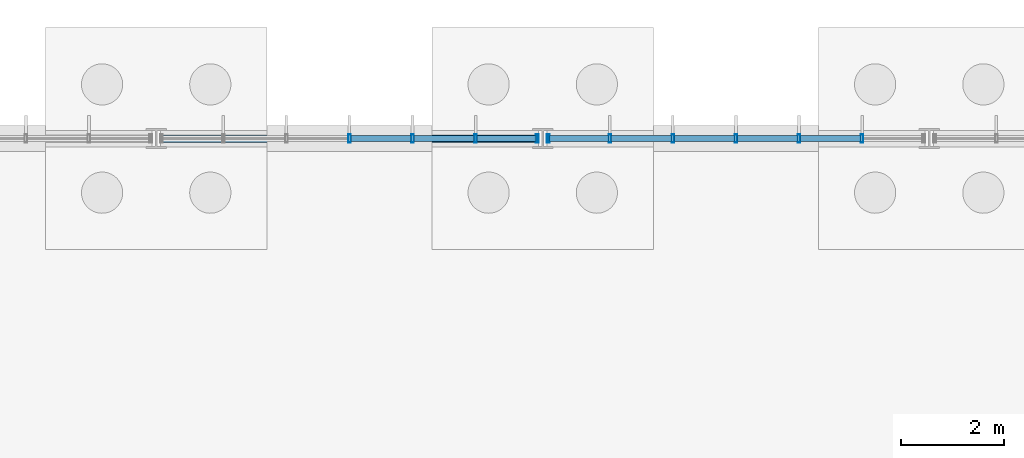
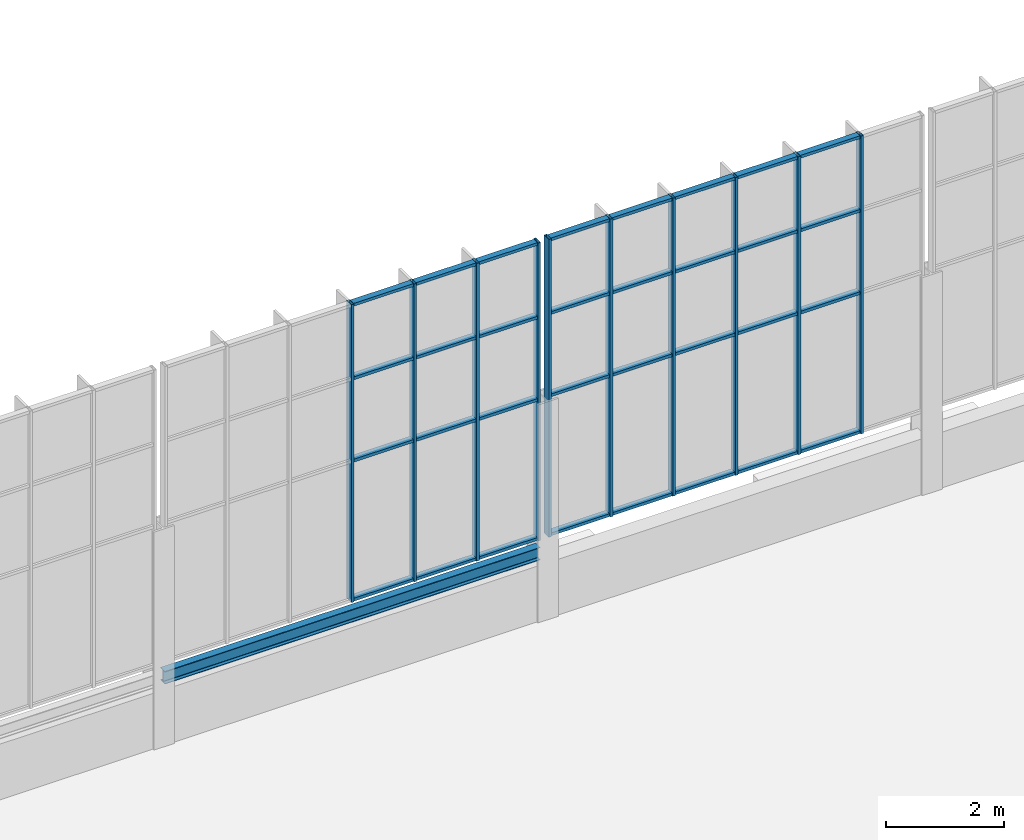
# One storey, part 65 of 136: 42 members, 1 beam, 2 elements without a shape of their own.
"""IFC4 building model written with IfcOpenShell, lengths in metres."""

import ifcopenshell
import ifcopenshell.guid

model = None  # the IFC model being written
_history = None  # IfcOwnerHistory: only IFC2X3 demands one
_inside = {}  # id of a spatial element -> (the spatial element, [elements in it])
_under = {}  # id of a project, library or spatial element -> (it, [spatial elements below it])
_declared = {}  # id of a project -> (the project, [libraries it declares])
_typed = {}  # id of a type object -> (the type object, [elements of that type])
_made_of = {}  # id of a material, layer set ... -> (it, [elements and type objects made of it])


def new_model(schema):
    """Start an empty IFC model of exactly this schema.

    Asked for "IFC4X3", IfcOpenShell would pick the latest addendum, in which some entities
    have other attributes; the version numbers below select the first issue.
    IFC2X3 requires an IfcOwnerHistory on every rooted entity: one is made here for all.
    """
    global model, _history
    if schema == "IFC4X3":
        model = ifcopenshell.file(schema_version=(4, 3, 0, 0))
    else:
        model = ifcopenshell.file(schema=schema)
    _inside.clear()
    _under.clear()
    _declared.clear()
    _typed.clear()
    _made_of.clear()
    _history = None
    if model.schema == "IFC2X3":
        org = make("IfcOrganization", Name="unknown")
        user = make(
            "IfcPersonAndOrganization",
            ThePerson=make("IfcPerson", FamilyName="unknown"),
            TheOrganization=org,
        )
        app = make(
            "IfcApplication",
            ApplicationDeveloper=org,
            Version="unknown",
            ApplicationFullName="unknown",
            ApplicationIdentifier="unknown",
        )
        _history = make(
            "IfcOwnerHistory",
            OwningUser=user,
            OwningApplication=app,
            ChangeAction="ADDED",
            CreationDate=0,
        )
    return model


def make(cls, **values):
    """One entity of the class cls with the attributes given. An attribute that is None is left unset."""
    return model.create_entity(
        cls, **{name: value for name, value in values.items() if value is not None}
    )


def rooted(cls, **values):
    """An entity with a GlobalId (a new one), such as an element, a storey or a relation."""
    return make(cls, GlobalId=ifcopenshell.guid.new(), OwnerHistory=_history, **values)


def si_unit(unit_type, name, prefix=None):
    """IfcSIUnit, for example si_unit("LENGTHUNIT", "METRE", prefix="MILLI")."""
    return make("IfcSIUnit", UnitType=unit_type, Prefix=prefix, Name=name)


def assignment(units):
    """IfcUnitAssignment: the units of a project."""
    return None if units is None else make("IfcUnitAssignment", Units=units)


def point(xyz):
    """IfcCartesianPoint."""
    return None if xyz is None else make("IfcCartesianPoint", Coordinates=xyz)


def direction(xyz):
    """IfcDirection."""
    return None if xyz is None else make("IfcDirection", DirectionRatios=xyz)


def frame(location, z_axis=None, x_axis=None):
    """IfcAxis2Placement3D, a coordinate frame: its origin and axes. An axis left out is left unset."""
    return make(
        "IfcAxis2Placement3D",
        Location=point(location),
        Axis=direction(z_axis),
        RefDirection=direction(x_axis),
    )


def frame_2d(location, x_axis=None):
    """IfcAxis2Placement2D, a coordinate frame in the plane: its origin and x axis."""
    return make(
        "IfcAxis2Placement2D", Location=point(location), RefDirection=direction(x_axis)
    )


def origin():
    """The frame at (0, 0, 0) with its axes left unset."""
    return frame((0.0, 0.0, 0.0))


def origin_2d():
    """The frame at (0, 0) in the plane with its x axis left unset."""
    return frame_2d((0.0, 0.0))


def place(relative_to, where):
    """IfcLocalPlacement: puts the frame where relative to a parent placement (None: the world)."""
    return make(
        "IfcLocalPlacement", PlacementRelTo=relative_to, RelativePlacement=where
    )


def context(
    kind, dimensions, precision=None, world=None, true_north=None, identifier=None
):
    """IfcGeometricRepresentationContext, for example the 3D "Model" context."""
    return make(
        "IfcGeometricRepresentationContext",
        ContextIdentifier=identifier,
        ContextType=kind,
        CoordinateSpaceDimension=dimensions,
        Precision=precision,
        WorldCoordinateSystem=world,
        TrueNorth=true_north,
    )


def subcontext(parent, identifier, kind, view, scale=None):
    """IfcGeometricRepresentationSubContext, for example "Body" below "Model"."""
    return make(
        "IfcGeometricRepresentationSubContext",
        ContextIdentifier=identifier,
        ContextType=kind,
        ParentContext=parent,
        TargetScale=scale,
        TargetView=view,
    )


def project(units=None, contexts=None):
    """IfcProject with its units and contexts."""
    return rooted(
        "IfcProject",
        Name="project",
        RepresentationContexts=contexts,
        UnitsInContext=assignment(units),
    )


def spatial(cls, under=None, at=None, **own):
    """A site, building, storey or space (cls), placed at a placement, below another one or the project."""
    s = rooted(cls, ObjectPlacement=at, **own)
    if under is not None:
        _under.setdefault(under.id(), (under, []))[1].append(s)
    return s


def profile(cls, at=None, kind="AREA", **sizes):
    """A parametric profile (cls). Its sizes go by their IFC names, for example OverallWidth=200.0."""
    return make(cls, ProfileType=kind, Position=at, **sizes)


def hollow_rectangle(**sizes):
    """IfcRectangleHollowProfileDef."""
    return profile("IfcRectangleHollowProfileDef", **sizes)


def i_section(**sizes):
    """IfcIShapeProfileDef."""
    return profile("IfcIShapeProfileDef", **sizes)


def extrude(swept, where, along, depth):
    """IfcExtrudedAreaSolid: the profile swept, set in the frame where, extruded along a direction by depth."""
    return make(
        "IfcExtrudedAreaSolid",
        SweptArea=swept,
        Position=where,
        ExtrudedDirection=direction(along),
        Depth=depth,
    )


def shape(context_of_items, identifier, shape_type, items):
    """IfcShapeRepresentation: the items that make up one representation, for example the "Body"."""
    return make(
        "IfcShapeRepresentation",
        ContextOfItems=context_of_items,
        RepresentationIdentifier=identifier,
        RepresentationType=shape_type,
        Items=items,
    )


def material(Name=None, Category=None):
    """IfcMaterial."""
    return make("IfcMaterial", Name=Name, Category=Category)


def layer(
    of_material, thickness, ventilated=None, Name=None, Category=None, Priority=None
):
    """IfcMaterialLayer: one layer of a wall or slab, of a material (None: an air gap)."""
    return make(
        "IfcMaterialLayer",
        Material=of_material,
        LayerThickness=thickness,
        IsVentilated=ventilated,
        Name=Name,
        Category=Category,
        Priority=Priority,
    )


def layer_set(layers, Name=None):
    """IfcMaterialLayerSet."""
    return make("IfcMaterialLayerSet", MaterialLayers=layers, LayerSetName=Name)


def material_profile(
    of_material, cross_section, Name=None, Category=None, Priority=None
):
    """IfcMaterialProfile: a cross section and its material."""
    return make(
        "IfcMaterialProfile",
        Name=Name,
        Material=of_material,
        Profile=cross_section,
        Priority=Priority,
        Category=Category,
    )


def profile_set(profiles, Name=None, composite=None):
    """IfcMaterialProfileSet."""
    return make(
        "IfcMaterialProfileSet",
        Name=Name,
        MaterialProfiles=profiles,
        CompositeProfile=composite,
    )


def made_of(thing, what):
    """Note that an element or type object is made of a material, layer set ...; save() writes the relation."""
    if what is not None:
        _made_of.setdefault(what.id(), (what, []))[1].append(thing)
    return thing


def type_object(cls, material=None, **own):
    """A type object (cls), such as IfcWallType, which elements share."""
    return made_of(rooted(cls, **own), material)


def element(
    cls,
    number,
    at=None,
    inside=None,
    cuts=None,
    type_object=None,
    material=None,
    context=None,
    identifier="Body",
    shape_type=None,
    held_by="IfcProductDefinitionShape",
    body=None,
    shapes=None,
    **own,
):
    """One element of the class cls, such as IfcWall. Its Tag is "e" and its number.

    at: its placement. inside: the storey or other place that contains it. cuts: it is an
    opening in that element (IfcRelVoidsElement). A single representation is given by context,
    identifier, shape_type and body (its items); several are given by shapes. held_by: the class
    of the entity that holds the representations. save() writes the other relations.
    """
    e = rooted(cls, Tag="e%d" % number, ObjectPlacement=at, **own)
    if body is not None:
        shapes = [shape(context, identifier, shape_type, body)]
    if shapes is not None:
        e.Representation = make(held_by, Representations=shapes)
    if inside is not None:
        _inside.setdefault(inside.id(), (inside, []))[1].append(e)
    if cuts is not None:
        rooted(
            "IfcRelVoidsElement", RelatingBuildingElement=cuts, RelatedOpeningElement=e
        )
    if type_object is not None:
        _typed.setdefault(type_object.id(), (type_object, []))[1].append(e)
    return made_of(e, material)


def aggregate(whole, parts):
    """IfcRelAggregates: a whole, such as a stair, and the parts it consists of."""
    return rooted("IfcRelAggregates", RelatingObject=whole, RelatedObjects=parts)


def save(model, path):
    """Write the relations noted so far, then the file.

    IfcRelAggregates (storeys below a building ...), IfcRelContainedInSpatialStructure (elements
    in a storey), IfcRelDefinesByType, IfcRelAssociatesMaterial and IfcRelDeclares: one each for
    every whole, place, type object, material and project.
    """
    for whole, parts in _under.values():
        aggregate(whole, parts)
    for where, things in _inside.values():
        rooted(
            "IfcRelContainedInSpatialStructure",
            RelatedElements=things,
            RelatingStructure=where,
        )
    for kind, things in _typed.values():
        rooted("IfcRelDefinesByType", RelatedObjects=things, RelatingType=kind)
    for what, things in _made_of.values():
        rooted("IfcRelAssociatesMaterial", RelatedObjects=things, RelatingMaterial=what)
    for by, libraries in _declared.values():
        rooted("IfcRelDeclares", RelatingContext=by, RelatedDefinitions=libraries)
    model.write(path)


model = new_model("IFC4")

# Units and contexts
model_context = context("Model", 3, precision=1e-05, world=origin(), true_north=direction((0.0, 1.0)))
body_context = subcontext(model_context, "Body", "Model", "MODEL_VIEW")
ifc_project = project(units=[si_unit("LENGTHUNIT", "METRE"), si_unit("AREAUNIT", "SQUARE_METRE"), si_unit("VOLUMEUNIT", "CUBIC_METRE"), si_unit("PLANEANGLEUNIT", "RADIAN"), si_unit("MASSUNIT", "GRAM", prefix="KILO")], contexts=[model_context])

# Site, building, storey
site_placement = place(None, origin())
site = spatial("IfcSite", under=ifc_project, at=site_placement, CompositionType="ELEMENT")
building_placement = place(site_placement, origin())
building = spatial("IfcBuilding", under=site, at=building_placement, Name="Solvenia Promenade Tram Depot", CompositionType="ELEMENT")
storey_placement = place(building_placement, origin())
storey = spatial("IfcBuildingStorey", under=building, at=storey_placement, Name="L00", CompositionType="ELEMENT", Elevation=0.0)

# Curtain wall, members
ifc_material_1 = material(Name="Anodized aluminium AW-6063 T6", Category="aluminium")
ifc_layer = layer(ifc_material_1, 0.159912109375, Name="Anodized aluminium AW-6063 T6", Category="aluminium")
ifc_layer_set = layer_set([ifc_layer], Name="Anodized aluminium AW-6063 T6")
curtain_wall_type = type_object("IfcCurtainWallType", Name="CW-Channel-1200", PredefinedType="NOTDEFINED", material=ifc_layer_set)
curtain_wall_1_placement = place(storey_placement, origin())
curtain_wall_1 = element("IfcCurtainWall", 1, at=curtain_wall_1_placement, inside=storey, type_object=curtain_wall_type, Name="North Translucent Channel-Glass Wall 10", PredefinedType="NOTDEFINED")
ifc_material_profile_1 = material_profile(ifc_material_1, hollow_rectangle(XDim=0.159912109375, YDim=0.052001953125, WallThickness=0.00390625, at=origin_2d()), Name="ALU-M1", Category="aluminium")
ifc_profile_set_1 = profile_set([ifc_material_profile_1], Name="Anodized aluminium AW-6063 T6")
member_type_1 = type_object("IfcMemberType", Name="CWM-Mullion-1", PredefinedType="MULLION", material=ifc_profile_set_1)
member_1_placement = place(storey_placement, frame((71.25, 126.0, 1.60009765625), z_axis=(0.0, 0.0, 1.0), x_axis=(0.0, 1.0, 0.0)))
member_1 = element("IfcMember", 2, at=member_1_placement, type_object=member_type_1, Name="CW-1 mullion 4", PredefinedType="MULLION", context=body_context, shape_type="SweptSolid", body=[
    extrude(hollow_rectangle(XDim=0.159912109375, YDim=0.052001953125, WallThickness=0.00390625, at=origin_2d()), origin(), (0.0, 0.0, 1.0), 6.14990234375),
])
member_2_placement = place(storey_placement, frame((72.473388671875, 126.0, 1.60009765625), z_axis=(0.0, 0.0, 1.0), x_axis=(0.0, 1.0, 0.0)))
member_2 = element("IfcMember", 3, at=member_2_placement, type_object=member_type_1, Name="CW-1 mullion 5", PredefinedType="MULLION", context=body_context, shape_type="SweptSolid", body=[
    extrude(hollow_rectangle(XDim=0.159912109375, YDim=0.052001953125, WallThickness=0.00390625, at=origin_2d()), origin(), (0.0, 0.0, 1.0), 6.14990234375),
])
member_3_placement = place(storey_placement, frame((73.69677734375, 126.0, 1.60009765625), z_axis=(0.0, 0.0, 1.0), x_axis=(0.0, 1.0, 0.0)))
member_3 = element("IfcMember", 4, at=member_3_placement, type_object=member_type_1, Name="CW-1 mullion 6", PredefinedType="MULLION", context=body_context, shape_type="SweptSolid", body=[
    extrude(hollow_rectangle(XDim=0.159912109375, YDim=0.052001953125, WallThickness=0.00390625, at=origin_2d()), origin(), (0.0, 0.0, 1.0), 6.14990234375),
])
member_4_placement = place(storey_placement, frame((74.89404296875, 126.0, 1.60009765625), z_axis=(0.0, 0.0, 1.0), x_axis=(0.0, 1.0, 0.0)))
member_4 = element("IfcMember", 5, at=member_4_placement, type_object=member_type_1, Name="CW-1 mullion 7", PredefinedType="MULLION", context=body_context, shape_type="SweptSolid", body=[
    extrude(hollow_rectangle(XDim=0.159912109375, YDim=0.052001953125, WallThickness=0.00390625, at=origin_2d()), origin(), (0.0, 0.0, 1.0), 6.14990234375),
])

curtain_wall_2_placement = place(storey_placement, origin())
curtain_wall_2 = element("IfcCurtainWall", 6, at=curtain_wall_2_placement, inside=storey, type_object=curtain_wall_type, Name="North Translucent Channel-Glass Wall 11", PredefinedType="NOTDEFINED")
member_5_placement = place(storey_placement, frame((75.10595703125, 126.0, 1.60009765625), z_axis=(0.0, 0.0, 1.0), x_axis=(0.0, 1.0, 0.0)))
member_5 = element("IfcMember", 7, at=member_5_placement, type_object=member_type_1, Name="CW-1 mullion 1", PredefinedType="MULLION", context=body_context, shape_type="SweptSolid", body=[
    extrude(hollow_rectangle(XDim=0.159912109375, YDim=0.052001953125, WallThickness=0.00390625, at=origin_2d()), origin(), (0.0, 0.0, 1.0), 6.14990234375),
])
member_6_placement = place(storey_placement, frame((76.30322265625, 126.0, 1.60009765625), z_axis=(0.0, 0.0, 1.0), x_axis=(0.0, 1.0, 0.0)))
member_6 = element("IfcMember", 8, at=member_6_placement, type_object=member_type_1, Name="CW-1 mullion 2", PredefinedType="MULLION", context=body_context, shape_type="SweptSolid", body=[
    extrude(hollow_rectangle(XDim=0.159912109375, YDim=0.052001953125, WallThickness=0.00390625, at=origin_2d()), origin(), (0.0, 0.0, 1.0), 6.14990234375),
])
member_7_placement = place(storey_placement, frame((77.526611328125, 126.0, 1.60009765625), z_axis=(0.0, 0.0, 1.0), x_axis=(0.0, 1.0, 0.0)))
member_7 = element("IfcMember", 9, at=member_7_placement, type_object=member_type_1, Name="CW-1 mullion 3", PredefinedType="MULLION", context=body_context, shape_type="SweptSolid", body=[
    extrude(hollow_rectangle(XDim=0.159912109375, YDim=0.052001953125, WallThickness=0.00390625, at=origin_2d()), origin(), (0.0, 0.0, 1.0), 6.14990234375),
])
member_8_placement = place(storey_placement, frame((78.75, 126.0, 1.60009765625), z_axis=(0.0, 0.0, 1.0), x_axis=(0.0, 1.0, 0.0)))
member_8 = element("IfcMember", 10, at=member_8_placement, type_object=member_type_1, Name="CW-1 mullion 4", PredefinedType="MULLION", context=body_context, shape_type="SweptSolid", body=[
    extrude(hollow_rectangle(XDim=0.159912109375, YDim=0.052001953125, WallThickness=0.00390625, at=origin_2d()), origin(), (0.0, 0.0, 1.0), 6.14990234375),
])
member_9_placement = place(storey_placement, frame((79.973388671875, 126.0, 1.60009765625), z_axis=(0.0, 0.0, 1.0), x_axis=(0.0, 1.0, 0.0)))
member_9 = element("IfcMember", 11, at=member_9_placement, type_object=member_type_1, Name="CW-1 mullion 5", PredefinedType="MULLION", context=body_context, shape_type="SweptSolid", body=[
    extrude(hollow_rectangle(XDim=0.159912109375, YDim=0.052001953125, WallThickness=0.00390625, at=origin_2d()), origin(), (0.0, 0.0, 1.0), 6.14990234375),
])
member_10_placement = place(storey_placement, frame((81.19677734375, 126.0, 1.60009765625), z_axis=(0.0, 0.0, 1.0), x_axis=(0.0, 1.0, 0.0)))
member_10 = element("IfcMember", 12, at=member_10_placement, type_object=member_type_1, Name="CW-1 mullion 6", PredefinedType="MULLION", context=body_context, shape_type="SweptSolid", body=[
    extrude(hollow_rectangle(XDim=0.159912109375, YDim=0.052001953125, WallThickness=0.00390625, at=origin_2d()), origin(), (0.0, 0.0, 1.0), 6.14990234375),
])

# Member
ifc_material_profile_2 = material_profile(ifc_material_1, hollow_rectangle(XDim=0.1201171875, YDim=0.06005859375, WallThickness=0.00390625, at=origin_2d()), Name="ALU-T1", Category="aluminium")
ifc_profile_set_2 = profile_set([ifc_material_profile_2], Name="Anodized aluminium AW-6063 T6")
member_type_2 = type_object("IfcMemberType", Name="CWT-Transom-1", PredefinedType="USERDEFINED", material=ifc_profile_set_2)
member_11_placement = place(storey_placement, frame((71.27587890625, 126.0, 1.6298828125), z_axis=(1.0, 0.0, 0.0), x_axis=(0.0, 1.0, 0.0)))
member_11 = element("IfcMember", 13, at=member_11_placement, type_object=member_type_2, Name="CW-1 transom 4.1", ObjectType="TRANSOM", PredefinedType="USERDEFINED", context=body_context, shape_type="SweptSolid", body=[
    extrude(hollow_rectangle(XDim=0.1201171875, YDim=0.06005859375, WallThickness=0.00390625, at=origin_2d()), origin(), (0.0, 0.0, 1.0), 1.17138671875),
])

member_12_placement = place(storey_placement, frame((71.27587890625, 126.0, 4.5), z_axis=(1.0, 0.0, 0.0), x_axis=(0.0, 1.0, 0.0)))
member_12 = element("IfcMember", 14, at=member_12_placement, type_object=member_type_2, Name="CW-1 transom 4.2", ObjectType="TRANSOM", PredefinedType="USERDEFINED", context=body_context, shape_type="SweptSolid", body=[
    extrude(hollow_rectangle(XDim=0.1201171875, YDim=0.06005859375, WallThickness=0.00390625, at=origin_2d()), origin(), (0.0, 0.0, 1.0), 1.17138671875),
])

member_13_placement = place(storey_placement, frame((71.27587890625, 126.0, 6.199951171875), z_axis=(1.0, 0.0, 0.0), x_axis=(0.0, 1.0, 0.0)))
member_13 = element("IfcMember", 15, at=member_13_placement, type_object=member_type_2, Name="CW-1 transom 4.3", ObjectType="TRANSOM", PredefinedType="USERDEFINED", context=body_context, shape_type="SweptSolid", body=[
    extrude(hollow_rectangle(XDim=0.1201171875, YDim=0.06005859375, WallThickness=0.00390625, at=origin_2d()), origin(), (0.0, 0.0, 1.0), 1.17138671875),
])

member_14_placement = place(storey_placement, frame((71.27587890625, 126.0, 7.719970703125), z_axis=(1.0, 0.0, 0.0), x_axis=(0.0, 1.0, 0.0)))
member_14 = element("IfcMember", 16, at=member_14_placement, type_object=member_type_2, Name="CW-1 transom 4.4", ObjectType="TRANSOM", PredefinedType="USERDEFINED", context=body_context, shape_type="SweptSolid", body=[
    extrude(hollow_rectangle(XDim=0.1201171875, YDim=0.06005859375, WallThickness=0.00390625, at=origin_2d()), origin(), (0.0, 0.0, 1.0), 1.17138671875),
])

member_15_placement = place(storey_placement, frame((72.499267578125, 126.0, 1.6298828125), z_axis=(1.0, 0.0, 0.0), x_axis=(0.0, 1.0, 0.0)))
member_15 = element("IfcMember", 17, at=member_15_placement, type_object=member_type_2, Name="CW-1 transom 5.1", ObjectType="TRANSOM", PredefinedType="USERDEFINED", context=body_context, shape_type="SweptSolid", body=[
    extrude(hollow_rectangle(XDim=0.1201171875, YDim=0.06005859375, WallThickness=0.00390625, at=origin_2d()), origin(), (0.0, 0.0, 1.0), 1.17138671875),
])

member_16_placement = place(storey_placement, frame((72.499267578125, 126.0, 4.5), z_axis=(1.0, 0.0, 0.0), x_axis=(0.0, 1.0, 0.0)))
member_16 = element("IfcMember", 18, at=member_16_placement, type_object=member_type_2, Name="CW-1 transom 5.2", ObjectType="TRANSOM", PredefinedType="USERDEFINED", context=body_context, shape_type="SweptSolid", body=[
    extrude(hollow_rectangle(XDim=0.1201171875, YDim=0.06005859375, WallThickness=0.00390625, at=origin_2d()), origin(), (0.0, 0.0, 1.0), 1.17138671875),
])

member_17_placement = place(storey_placement, frame((72.499267578125, 126.0, 6.199951171875), z_axis=(1.0, 0.0, 0.0), x_axis=(0.0, 1.0, 0.0)))
member_17 = element("IfcMember", 19, at=member_17_placement, type_object=member_type_2, Name="CW-1 transom 5.3", ObjectType="TRANSOM", PredefinedType="USERDEFINED", context=body_context, shape_type="SweptSolid", body=[
    extrude(hollow_rectangle(XDim=0.1201171875, YDim=0.06005859375, WallThickness=0.00390625, at=origin_2d()), origin(), (0.0, 0.0, 1.0), 1.17138671875),
])

member_18_placement = place(storey_placement, frame((72.499267578125, 126.0, 7.719970703125), z_axis=(1.0, 0.0, 0.0), x_axis=(0.0, 1.0, 0.0)))
member_18 = element("IfcMember", 20, at=member_18_placement, type_object=member_type_2, Name="CW-1 transom 5.4", ObjectType="TRANSOM", PredefinedType="USERDEFINED", context=body_context, shape_type="SweptSolid", body=[
    extrude(hollow_rectangle(XDim=0.1201171875, YDim=0.06005859375, WallThickness=0.00390625, at=origin_2d()), origin(), (0.0, 0.0, 1.0), 1.17138671875),
])

member_19_placement = place(storey_placement, frame((73.72265625, 126.0, 1.6298828125), z_axis=(1.0, 0.0, 0.0), x_axis=(0.0, 1.0, 0.0)))
member_19 = element("IfcMember", 21, at=member_19_placement, type_object=member_type_2, Name="CW-1 transom 6.1", ObjectType="TRANSOM", PredefinedType="USERDEFINED", context=body_context, shape_type="SweptSolid", body=[
    extrude(hollow_rectangle(XDim=0.1201171875, YDim=0.06005859375, WallThickness=0.00390625, at=origin_2d()), origin(), (0.0, 0.0, 1.0), 1.145263671875),
])

member_20_placement = place(storey_placement, frame((73.72265625, 126.0, 4.5), z_axis=(1.0, 0.0, 0.0), x_axis=(0.0, 1.0, 0.0)))
member_20 = element("IfcMember", 22, at=member_20_placement, type_object=member_type_2, Name="CW-1 transom 6.2", ObjectType="TRANSOM", PredefinedType="USERDEFINED", context=body_context, shape_type="SweptSolid", body=[
    extrude(hollow_rectangle(XDim=0.1201171875, YDim=0.06005859375, WallThickness=0.00390625, at=origin_2d()), origin(), (0.0, 0.0, 1.0), 1.145263671875),
])

member_21_placement = place(storey_placement, frame((73.72265625, 126.0, 6.199951171875), z_axis=(1.0, 0.0, 0.0), x_axis=(0.0, 1.0, 0.0)))
member_21 = element("IfcMember", 23, at=member_21_placement, type_object=member_type_2, Name="CW-1 transom 6.3", ObjectType="TRANSOM", PredefinedType="USERDEFINED", context=body_context, shape_type="SweptSolid", body=[
    extrude(hollow_rectangle(XDim=0.1201171875, YDim=0.06005859375, WallThickness=0.00390625, at=origin_2d()), origin(), (0.0, 0.0, 1.0), 1.145263671875),
])

member_22_placement = place(storey_placement, frame((73.72265625, 126.0, 7.719970703125), z_axis=(1.0, 0.0, 0.0), x_axis=(0.0, 1.0, 0.0)))
member_22 = element("IfcMember", 24, at=member_22_placement, type_object=member_type_2, Name="CW-1 transom 6.4", ObjectType="TRANSOM", PredefinedType="USERDEFINED", context=body_context, shape_type="SweptSolid", body=[
    extrude(hollow_rectangle(XDim=0.1201171875, YDim=0.06005859375, WallThickness=0.00390625, at=origin_2d()), origin(), (0.0, 0.0, 1.0), 1.145263671875),
])

aggregate(curtain_wall_1, [member_1, member_2, member_3, member_4, member_11, member_12, member_13, member_14, member_15, member_16, member_17, member_18, member_19, member_20, member_21, member_22])

member_23_placement = place(storey_placement, frame((75.132080078125, 126.0, 1.6298828125), z_axis=(1.0, 0.0, 0.0), x_axis=(0.0, 1.0, 0.0)))
member_23 = element("IfcMember", 25, at=member_23_placement, type_object=member_type_2, Name="CW-1 transom 1.1", ObjectType="TRANSOM", PredefinedType="USERDEFINED", context=body_context, shape_type="SweptSolid", body=[
    extrude(hollow_rectangle(XDim=0.1201171875, YDim=0.06005859375, WallThickness=0.00390625, at=origin_2d()), origin(), (0.0, 0.0, 1.0), 1.145263671875),
])

member_24_placement = place(storey_placement, frame((75.132080078125, 126.0, 4.5), z_axis=(1.0, 0.0, 0.0), x_axis=(0.0, 1.0, 0.0)))
member_24 = element("IfcMember", 26, at=member_24_placement, type_object=member_type_2, Name="CW-1 transom 1.2", ObjectType="TRANSOM", PredefinedType="USERDEFINED", context=body_context, shape_type="SweptSolid", body=[
    extrude(hollow_rectangle(XDim=0.1201171875, YDim=0.06005859375, WallThickness=0.00390625, at=origin_2d()), origin(), (0.0, 0.0, 1.0), 1.145263671875),
])

member_25_placement = place(storey_placement, frame((75.132080078125, 126.0, 6.199951171875), z_axis=(1.0, 0.0, 0.0), x_axis=(0.0, 1.0, 0.0)))
member_25 = element("IfcMember", 27, at=member_25_placement, type_object=member_type_2, Name="CW-1 transom 1.3", ObjectType="TRANSOM", PredefinedType="USERDEFINED", context=body_context, shape_type="SweptSolid", body=[
    extrude(hollow_rectangle(XDim=0.1201171875, YDim=0.06005859375, WallThickness=0.00390625, at=origin_2d()), origin(), (0.0, 0.0, 1.0), 1.145263671875),
])

member_26_placement = place(storey_placement, frame((75.132080078125, 126.0, 7.719970703125), z_axis=(1.0, 0.0, 0.0), x_axis=(0.0, 1.0, 0.0)))
member_26 = element("IfcMember", 28, at=member_26_placement, type_object=member_type_2, Name="CW-1 transom 1.4", ObjectType="TRANSOM", PredefinedType="USERDEFINED", context=body_context, shape_type="SweptSolid", body=[
    extrude(hollow_rectangle(XDim=0.1201171875, YDim=0.06005859375, WallThickness=0.00390625, at=origin_2d()), origin(), (0.0, 0.0, 1.0), 1.145263671875),
])

member_27_placement = place(storey_placement, frame((76.329345703125, 126.0, 1.6298828125), z_axis=(1.0, 0.0, 0.0), x_axis=(0.0, 1.0, 0.0)))
member_27 = element("IfcMember", 29, at=member_27_placement, type_object=member_type_2, Name="CW-1 transom 2.1", ObjectType="TRANSOM", PredefinedType="USERDEFINED", context=body_context, shape_type="SweptSolid", body=[
    extrude(hollow_rectangle(XDim=0.1201171875, YDim=0.06005859375, WallThickness=0.00390625, at=origin_2d()), origin(), (0.0, 0.0, 1.0), 1.17138671875),
])

member_28_placement = place(storey_placement, frame((76.329345703125, 126.0, 4.5), z_axis=(1.0, 0.0, 0.0), x_axis=(0.0, 1.0, 0.0)))
member_28 = element("IfcMember", 30, at=member_28_placement, type_object=member_type_2, Name="CW-1 transom 2.2", ObjectType="TRANSOM", PredefinedType="USERDEFINED", context=body_context, shape_type="SweptSolid", body=[
    extrude(hollow_rectangle(XDim=0.1201171875, YDim=0.06005859375, WallThickness=0.00390625, at=origin_2d()), origin(), (0.0, 0.0, 1.0), 1.17138671875),
])

member_29_placement = place(storey_placement, frame((76.329345703125, 126.0, 6.199951171875), z_axis=(1.0, 0.0, 0.0), x_axis=(0.0, 1.0, 0.0)))
member_29 = element("IfcMember", 31, at=member_29_placement, type_object=member_type_2, Name="CW-1 transom 2.3", ObjectType="TRANSOM", PredefinedType="USERDEFINED", context=body_context, shape_type="SweptSolid", body=[
    extrude(hollow_rectangle(XDim=0.1201171875, YDim=0.06005859375, WallThickness=0.00390625, at=origin_2d()), origin(), (0.0, 0.0, 1.0), 1.17138671875),
])

member_30_placement = place(storey_placement, frame((76.329345703125, 126.0, 7.719970703125), z_axis=(1.0, 0.0, 0.0), x_axis=(0.0, 1.0, 0.0)))
member_30 = element("IfcMember", 32, at=member_30_placement, type_object=member_type_2, Name="CW-1 transom 2.4", ObjectType="TRANSOM", PredefinedType="USERDEFINED", context=body_context, shape_type="SweptSolid", body=[
    extrude(hollow_rectangle(XDim=0.1201171875, YDim=0.06005859375, WallThickness=0.00390625, at=origin_2d()), origin(), (0.0, 0.0, 1.0), 1.17138671875),
])

member_31_placement = place(storey_placement, frame((77.552734375, 126.0, 1.6298828125), z_axis=(1.0, 0.0, 0.0), x_axis=(0.0, 1.0, 0.0)))
member_31 = element("IfcMember", 33, at=member_31_placement, type_object=member_type_2, Name="CW-1 transom 3.1", ObjectType="TRANSOM", PredefinedType="USERDEFINED", context=body_context, shape_type="SweptSolid", body=[
    extrude(hollow_rectangle(XDim=0.1201171875, YDim=0.06005859375, WallThickness=0.00390625, at=origin_2d()), origin(), (0.0, 0.0, 1.0), 1.17138671875),
])

member_32_placement = place(storey_placement, frame((77.552734375, 126.0, 4.5), z_axis=(1.0, 0.0, 0.0), x_axis=(0.0, 1.0, 0.0)))
member_32 = element("IfcMember", 34, at=member_32_placement, type_object=member_type_2, Name="CW-1 transom 3.2", ObjectType="TRANSOM", PredefinedType="USERDEFINED", context=body_context, shape_type="SweptSolid", body=[
    extrude(hollow_rectangle(XDim=0.1201171875, YDim=0.06005859375, WallThickness=0.00390625, at=origin_2d()), origin(), (0.0, 0.0, 1.0), 1.17138671875),
])

member_33_placement = place(storey_placement, frame((77.552734375, 126.0, 6.199951171875), z_axis=(1.0, 0.0, 0.0), x_axis=(0.0, 1.0, 0.0)))
member_33 = element("IfcMember", 35, at=member_33_placement, type_object=member_type_2, Name="CW-1 transom 3.3", ObjectType="TRANSOM", PredefinedType="USERDEFINED", context=body_context, shape_type="SweptSolid", body=[
    extrude(hollow_rectangle(XDim=0.1201171875, YDim=0.06005859375, WallThickness=0.00390625, at=origin_2d()), origin(), (0.0, 0.0, 1.0), 1.17138671875),
])

member_34_placement = place(storey_placement, frame((77.552734375, 126.0, 7.719970703125), z_axis=(1.0, 0.0, 0.0), x_axis=(0.0, 1.0, 0.0)))
member_34 = element("IfcMember", 36, at=member_34_placement, type_object=member_type_2, Name="CW-1 transom 3.4", ObjectType="TRANSOM", PredefinedType="USERDEFINED", context=body_context, shape_type="SweptSolid", body=[
    extrude(hollow_rectangle(XDim=0.1201171875, YDim=0.06005859375, WallThickness=0.00390625, at=origin_2d()), origin(), (0.0, 0.0, 1.0), 1.17138671875),
])

member_35_placement = place(storey_placement, frame((78.77587890625, 126.0, 1.6298828125), z_axis=(1.0, 0.0, 0.0), x_axis=(0.0, 1.0, 0.0)))
member_35 = element("IfcMember", 37, at=member_35_placement, type_object=member_type_2, Name="CW-1 transom 4.1", ObjectType="TRANSOM", PredefinedType="USERDEFINED", context=body_context, shape_type="SweptSolid", body=[
    extrude(hollow_rectangle(XDim=0.1201171875, YDim=0.06005859375, WallThickness=0.00390625, at=origin_2d()), origin(), (0.0, 0.0, 1.0), 1.17138671875),
])

member_36_placement = place(storey_placement, frame((78.77587890625, 126.0, 4.5), z_axis=(1.0, 0.0, 0.0), x_axis=(0.0, 1.0, 0.0)))
member_36 = element("IfcMember", 38, at=member_36_placement, type_object=member_type_2, Name="CW-1 transom 4.2", ObjectType="TRANSOM", PredefinedType="USERDEFINED", context=body_context, shape_type="SweptSolid", body=[
    extrude(hollow_rectangle(XDim=0.1201171875, YDim=0.06005859375, WallThickness=0.00390625, at=origin_2d()), origin(), (0.0, 0.0, 1.0), 1.17138671875),
])

member_37_placement = place(storey_placement, frame((78.77587890625, 126.0, 6.199951171875), z_axis=(1.0, 0.0, 0.0), x_axis=(0.0, 1.0, 0.0)))
member_37 = element("IfcMember", 39, at=member_37_placement, type_object=member_type_2, Name="CW-1 transom 4.3", ObjectType="TRANSOM", PredefinedType="USERDEFINED", context=body_context, shape_type="SweptSolid", body=[
    extrude(hollow_rectangle(XDim=0.1201171875, YDim=0.06005859375, WallThickness=0.00390625, at=origin_2d()), origin(), (0.0, 0.0, 1.0), 1.17138671875),
])

member_38_placement = place(storey_placement, frame((78.77587890625, 126.0, 7.719970703125), z_axis=(1.0, 0.0, 0.0), x_axis=(0.0, 1.0, 0.0)))
member_38 = element("IfcMember", 40, at=member_38_placement, type_object=member_type_2, Name="CW-1 transom 4.4", ObjectType="TRANSOM", PredefinedType="USERDEFINED", context=body_context, shape_type="SweptSolid", body=[
    extrude(hollow_rectangle(XDim=0.1201171875, YDim=0.06005859375, WallThickness=0.00390625, at=origin_2d()), origin(), (0.0, 0.0, 1.0), 1.17138671875),
])

member_39_placement = place(storey_placement, frame((79.999267578125, 126.0, 1.6298828125), z_axis=(1.0, 0.0, 0.0), x_axis=(0.0, 1.0, 0.0)))
member_39 = element("IfcMember", 41, at=member_39_placement, type_object=member_type_2, Name="CW-1 transom 5.1", ObjectType="TRANSOM", PredefinedType="USERDEFINED", context=body_context, shape_type="SweptSolid", body=[
    extrude(hollow_rectangle(XDim=0.1201171875, YDim=0.06005859375, WallThickness=0.00390625, at=origin_2d()), origin(), (0.0, 0.0, 1.0), 1.17138671875),
])

member_40_placement = place(storey_placement, frame((79.999267578125, 126.0, 4.5), z_axis=(1.0, 0.0, 0.0), x_axis=(0.0, 1.0, 0.0)))
member_40 = element("IfcMember", 42, at=member_40_placement, type_object=member_type_2, Name="CW-1 transom 5.2", ObjectType="TRANSOM", PredefinedType="USERDEFINED", context=body_context, shape_type="SweptSolid", body=[
    extrude(hollow_rectangle(XDim=0.1201171875, YDim=0.06005859375, WallThickness=0.00390625, at=origin_2d()), origin(), (0.0, 0.0, 1.0), 1.17138671875),
])

member_41_placement = place(storey_placement, frame((79.999267578125, 126.0, 6.199951171875), z_axis=(1.0, 0.0, 0.0), x_axis=(0.0, 1.0, 0.0)))
member_41 = element("IfcMember", 43, at=member_41_placement, type_object=member_type_2, Name="CW-1 transom 5.3", ObjectType="TRANSOM", PredefinedType="USERDEFINED", context=body_context, shape_type="SweptSolid", body=[
    extrude(hollow_rectangle(XDim=0.1201171875, YDim=0.06005859375, WallThickness=0.00390625, at=origin_2d()), origin(), (0.0, 0.0, 1.0), 1.17138671875),
])

member_42_placement = place(storey_placement, frame((79.999267578125, 126.0, 7.719970703125), z_axis=(1.0, 0.0, 0.0), x_axis=(0.0, 1.0, 0.0)))
member_42 = element("IfcMember", 44, at=member_42_placement, type_object=member_type_2, Name="CW-1 transom 5.4", ObjectType="TRANSOM", PredefinedType="USERDEFINED", context=body_context, shape_type="SweptSolid", body=[
    extrude(hollow_rectangle(XDim=0.1201171875, YDim=0.06005859375, WallThickness=0.00390625, at=origin_2d()), origin(), (0.0, 0.0, 1.0), 1.17138671875),
])

aggregate(curtain_wall_2, [member_5, member_6, member_7, member_8, member_9, member_10, member_23, member_24, member_25, member_26, member_27, member_28, member_29, member_30, member_31, member_32, member_33, member_34, member_35, member_36, member_37, member_38, member_39, member_40, member_41, member_42])

# Beam
ifc_material_2 = material(Name="Structural steel ASTM A992 Gr. 50", Category="steel")
ifc_material_profile_3 = material_profile(ifc_material_2, i_section(OverallWidth=0.14697265625, OverallDepth=0.261962890625, WebThickness=0.006591796875, FlangeThickness=0.01123046875, FilletRadius=0.010009765625, at=origin_2d()), Name="W250x39", Category="steel")
ifc_profile_set_3 = profile_set([ifc_material_profile_3], Name="Structural steel ASTM A992 Gr. 50")
beam_type = type_object("IfcBeamType", Name="Lintel-W250x39", PredefinedType="LINTEL", material=ifc_profile_set_3)
beam_placement = place(storey_placement, frame((67.5849609375, 126.0, 1.319091796875), z_axis=(1.0, 0.0, 0.0), x_axis=(0.0, 1.0, 0.0)))
element("IfcBeam", 45, at=beam_placement, inside=storey, type_object=beam_type, Name="North Plinth Header Beam 10 BM-L00-0943", PredefinedType="LINTEL", context=body_context, shape_type="SweptSolid", body=[
    extrude(i_section(OverallWidth=0.14697265625, OverallDepth=0.261962890625, WebThickness=0.006591796875, FlangeThickness=0.01123046875, FilletRadius=0.010009765625, at=origin_2d()), origin(), (0.0, 0.0, 1.0), 7.330078125),
])

save(model, "model.ifc")
